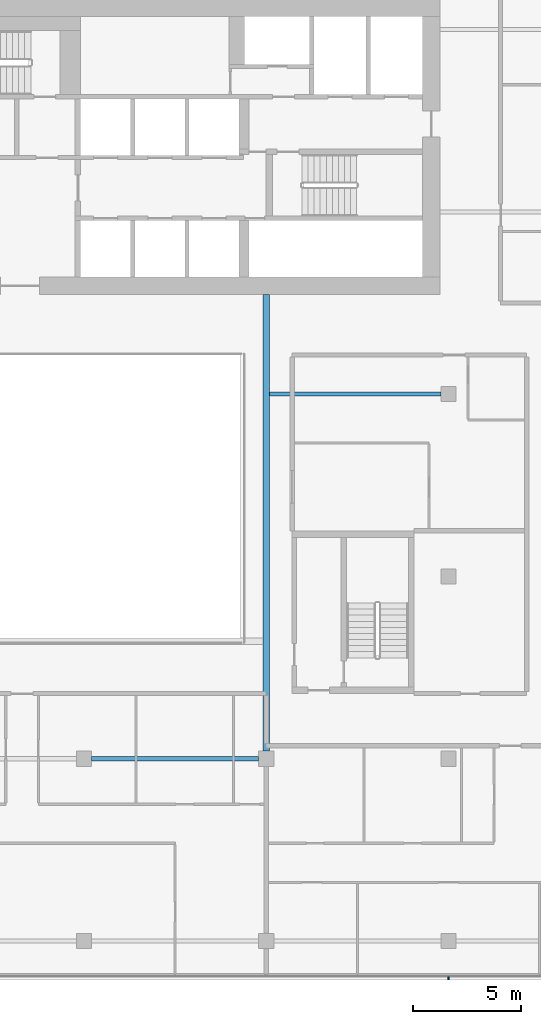
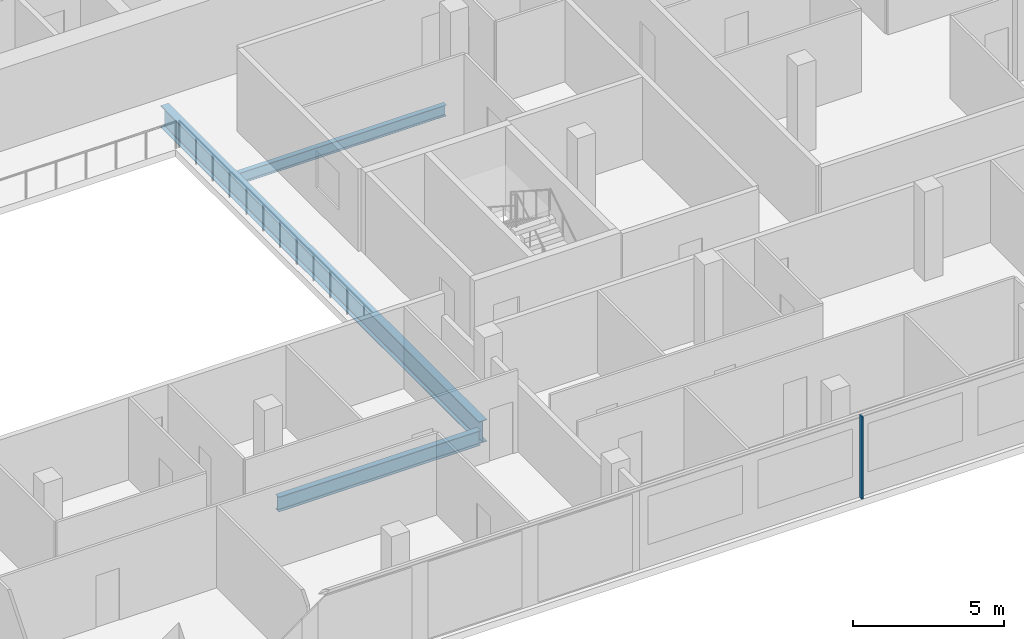
# One storey, part 6 of 29: 3 beams, 1 member, 1 element without a shape of its own.
"""IFC4 building model written with IfcOpenShell, lengths in metres."""

from ifc_helpers import new_model, si_unit, direction, frame, origin, origin_2d, place, context, subcontext, project, spatial, rectangle, i_section, extrude, material, material_profile, profile_set, type_object, element, aggregate, save


model = new_model("IFC4")

# Units and contexts
model_context = context("Model", 3, precision=1e-05, world=origin(), true_north=direction((0.0, 1.0)))
body_context = subcontext(model_context, "Body", "Model", "MODEL_VIEW")
ifc_project = project(units=[si_unit("LENGTHUNIT", "METRE"), si_unit("AREAUNIT", "SQUARE_METRE"), si_unit("VOLUMEUNIT", "CUBIC_METRE"), si_unit("PLANEANGLEUNIT", "RADIAN"), si_unit("MASSUNIT", "GRAM", prefix="KILO")], contexts=[model_context])

# Site, building, storey
site_placement = place(None, origin())
site = spatial("IfcSite", under=ifc_project, at=site_placement, CompositionType="ELEMENT")
building_placement = place(site_placement, origin())
building = spatial("IfcBuilding", under=site, at=building_placement, Name="Saffron Gate Tower", CompositionType="ELEMENT")
storey_placement = place(building_placement, frame((0.0, 0.0, 187.050048828125)))
storey = spatial("IfcBuildingStorey", under=building, at=storey_placement, Name="L46", CompositionType="ELEMENT", Elevation=187.050048828125)

# Beams
ifc_material_1 = material(Name="Structural steel S355", Category="steel")
ifc_material_profile_1 = material_profile(ifc_material_1, i_section(OverallWidth=0.219970703125, OverallDepth=0.60009765625, WebThickness=0.011962890625, FlangeThickness=0.01904296875, FilletRadius=0.02392578125, at=origin_2d()))
ifc_profile_set_1 = profile_set([ifc_material_profile_1], Name="Structural steel S355")
beam_type_1 = type_object("IfcBeamType", Name="B15 IPE 600", PredefinedType="BEAM", material=ifc_profile_set_1)
beam_1_placement = place(storey_placement, frame((92.14990234375, 40.199951171875, -0.580078125), z_axis=(1.0, 0.0, 0.0), x_axis=(0.0, 1.0, 0.0)))
element("IfcBeam", 1, at=beam_1_placement, inside=storey, type_object=beam_type_1, Name="B15 FLOOR GIRDER", PredefinedType="BEAM", context=body_context, shape_type="SweptSolid", body=[
    extrude(i_section(OverallWidth=0.219970703125, OverallDepth=0.60009765625, WebThickness=0.011962890625, FlangeThickness=0.01904296875, FilletRadius=0.02392578125, at=origin_2d()), origin(), (0.0, 0.0, 1.0), 7.7001953125),
])
ifc_material_profile_2 = material_profile(ifc_material_1, i_section(OverallWidth=0.300048828125, OverallDepth=0.889892578125, WebThickness=0.01611328125, FlangeThickness=0.030029296875, FilletRadius=0.030029296875, at=origin_2d()))
ifc_profile_set_2 = profile_set([ifc_material_profile_2], Name="Structural steel S355")
beam_type_2 = type_object("IfcBeamType", Name="B19 HEA 900", PredefinedType="BEAM", material=ifc_profile_set_2)
beam_2_placement = place(storey_placement, frame((100.199951171875, 40.550048828125, -0.72509765625), z_axis=(0.0, 1.0, 0.0), x_axis=(-1.0, 0.0, 0.0)))
element("IfcBeam", 2, at=beam_2_placement, inside=storey, type_object=beam_type_2, Name="B19 ATRIUM GIRDER", PredefinedType="BEAM", context=body_context, shape_type="SweptSolid", body=[
    extrude(i_section(OverallWidth=0.300048828125, OverallDepth=0.889892578125, WebThickness=0.01611328125, FlangeThickness=0.030029296875, FilletRadius=0.030029296875, at=origin_2d()), origin(), (0.0, 0.0, 1.0), 21.050048828125),
])
ifc_material_profile_3 = material_profile(ifc_material_1, i_section(OverallWidth=0.18994140625, OverallDepth=0.449951171875, WebThickness=0.009521484375, FlangeThickness=0.0146484375, FilletRadius=0.02099609375, at=origin_2d()))
ifc_profile_set_3 = profile_set([ifc_material_profile_3], Name="Structural steel S355")
beam_type_3 = type_object("IfcBeamType", Name="B6 IPE 450", PredefinedType="BEAM", material=ifc_profile_set_3)
beam_3_placement = place(storey_placement, frame((108.25, 57.0, -0.505126953125), z_axis=(-1.0, 0.0, 0.0), x_axis=(0.0, -1.0, 0.0)))
element("IfcBeam", 3, at=beam_3_placement, inside=storey, type_object=beam_type_3, Name="B6 CORE TIE BEAM", PredefinedType="BEAM", context=body_context, shape_type="SweptSolid", body=[
    extrude(i_section(OverallWidth=0.18994140625, OverallDepth=0.449951171875, WebThickness=0.009521484375, FlangeThickness=0.0146484375, FilletRadius=0.02099609375, at=origin_2d()), origin(), (0.0, 0.0, 1.0), 7.89990234375),
])

# Curtain wall, member
ifc_material_2 = material(Name="Aluminium, bronze anodised", Category="aluminium")
curtain_wall_type = type_object("IfcCurtainWallType", Name="CWS1 curtain wall front facade", PredefinedType="NOTDEFINED", material=ifc_material_2)
curtain_wall_placement = place(storey_placement, origin())
curtain_wall = element("IfcCurtainWall", 4, at=curtain_wall_placement, inside=storey, type_object=curtain_wall_type, Name="CWS1 run 1", PredefinedType="NOTDEFINED")
ifc_material_profile_4 = material_profile(ifc_material_2, rectangle(XDim=0.159912109375, YDim=0.06005859375, at=origin_2d()))
ifc_profile_set_4 = profile_set([ifc_material_profile_4], Name="Aluminium, bronze anodised")
member_type = type_object("IfcMemberType", Name="CWS1 mullion 60x160", PredefinedType="MULLION", material=ifc_profile_set_4)
member_placement = place(storey_placement, frame((108.60009765625, 30.080078125, 0.0), z_axis=(0.0, 0.0, 1.0), x_axis=(0.0, 1.0, 0.0)))
member = element("IfcMember", 5, at=member_placement, type_object=member_type, Name="CWS1 mullion 8", PredefinedType="MULLION", context=body_context, shape_type="SweptSolid", body=[
    extrude(rectangle(XDim=0.159912109375, YDim=0.06005859375, at=origin_2d()), origin(), (0.0, 0.0, 1.0), 3.320068359375),
])
aggregate(curtain_wall, [member])

save(model, "model.ifc")
